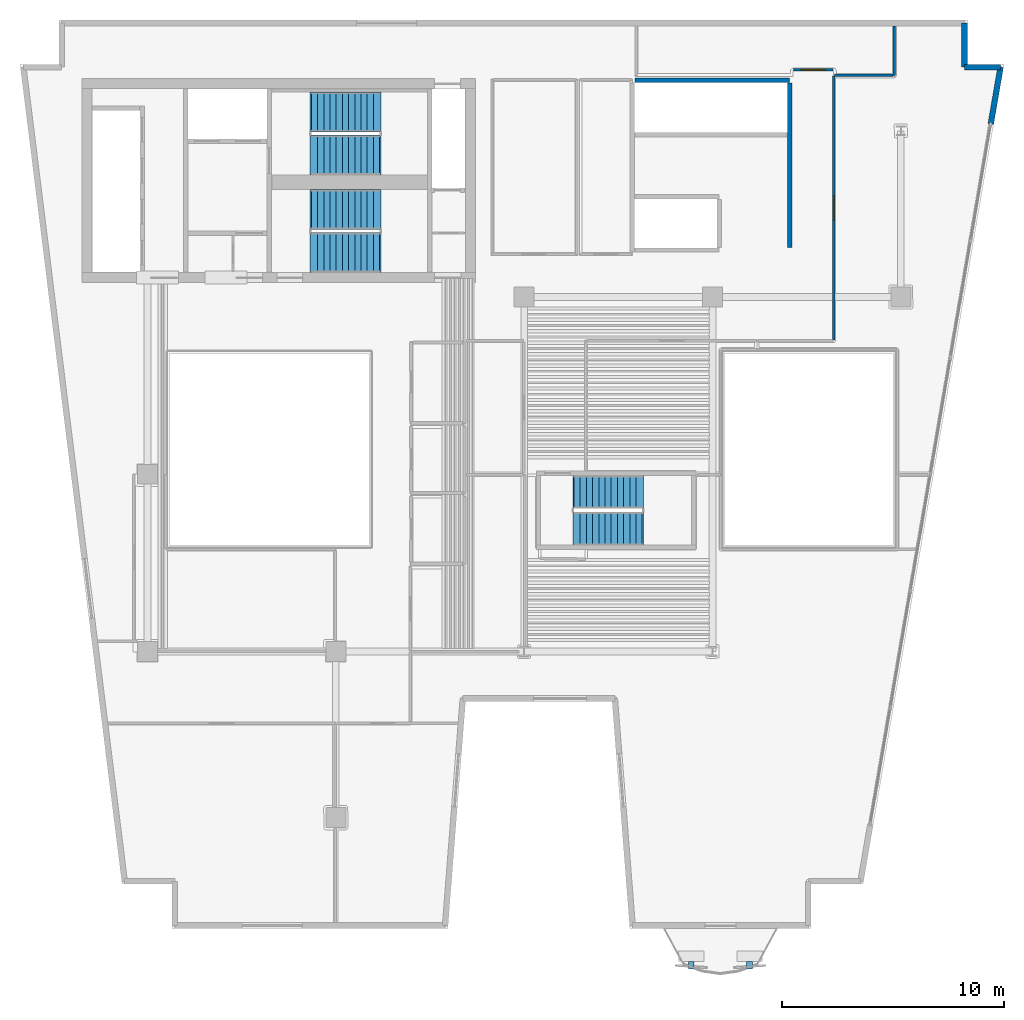
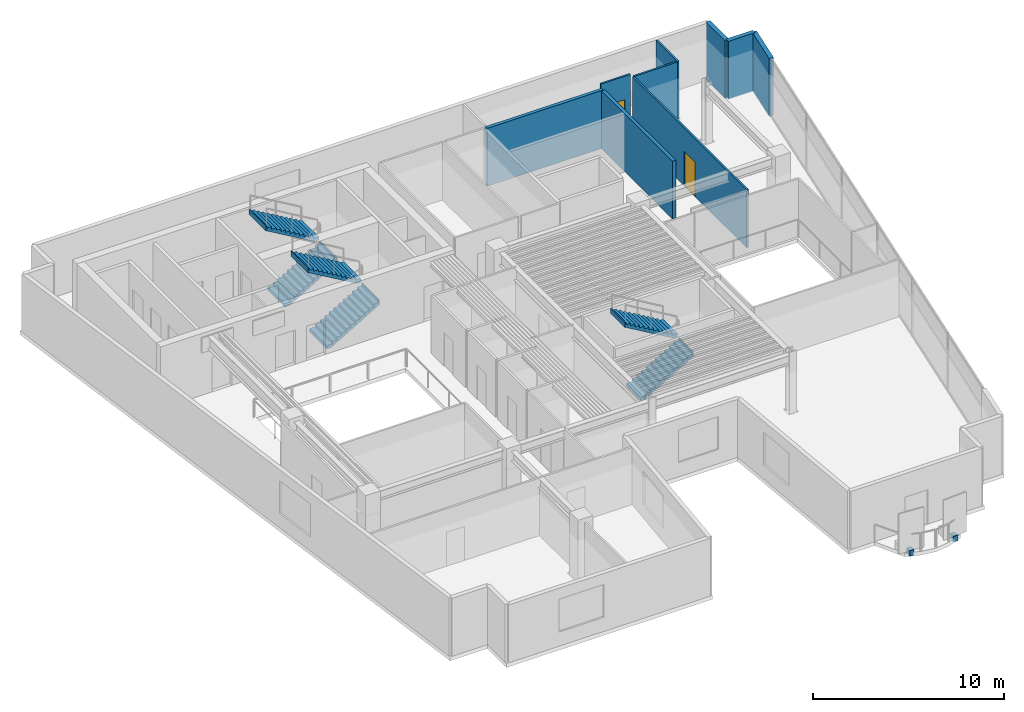
# One storey, part 6 of 10: 9 walls, 6 stair flights, 2 discrete accessories, 2 doors, 2 openings, 3 elements without a shape of their own.
"""IFC4 building model written with IfcOpenShell, lengths in metres."""

from ifc_helpers import new_model, si_unit, direction, frame, frame_2d, origin, origin_2d, place, context, subcontext, project, spatial, polyline, rectangle, outline, extrude, material, layer, layer_set, type_object, element, fill, aggregate, save


model = new_model("IFC4")

# Units and contexts
model_context = context("Model", 3, precision=1e-05, world=origin(), true_north=direction((0.0, 1.0)))
body_context = subcontext(model_context, "Body", "Model", "MODEL_VIEW")
ifc_project = project(units=[si_unit("LENGTHUNIT", "METRE"), si_unit("AREAUNIT", "SQUARE_METRE"), si_unit("VOLUMEUNIT", "CUBIC_METRE"), si_unit("PLANEANGLEUNIT", "RADIAN"), si_unit("MASSUNIT", "GRAM", prefix="KILO")], contexts=[model_context])

# Site, building, storey
site_placement = place(None, origin())
site = spatial("IfcSite", under=ifc_project, at=site_placement, CompositionType="ELEMENT")
building_placement = place(site_placement, origin())
building = spatial("IfcBuilding", under=site, at=building_placement, Name="Caeloran Harvest Quay", CompositionType="ELEMENT")
storey_placement = place(building_placement, frame((0.0, 0.0, 183.75)))
storey = spatial("IfcBuildingStorey", under=building, at=storey_placement, Name="L43", CompositionType="ELEMENT", Elevation=183.75)

# Walls
ifc_material_1 = material(Name="Precast concrete C50/60", Category="concrete")
ifc_layer_1 = layer(ifc_material_1, 0.260009765625, Name="Precast concrete C50/60")
ifc_layer_set_1 = layer_set([ifc_layer_1], Name="Precast concrete C50/60")
wall_type_1 = type_object("IfcWallType", Name="ENV-WALL-EW-260", PredefinedType="STANDARD", material=ifc_layer_set_1)
wall_1_placement = place(storey_placement, frame((45.3701171875, 43.3701171875, 0.0), z_axis=(0.0, 0.0, 1.0), x_axis=(0.0, -1.0, 0.0)))
element("IfcWall", 1, at=wall_1_placement, inside=storey, type_object=wall_type_1, Name="L43 Exterior Precast Concrete Facade Wall 7", PredefinedType="STANDARD", context=body_context, shape_type="SweptSolid", body=[
    extrude(rectangle(XDim=2.0, YDim=0.260009765625, at=frame_2d((1.0, 0.0))), origin(), (0.0, 0.0, 1.0), 3.699951171875),
])
wall_2_placement = place(storey_placement, frame((45.3701171875, 41.3701171875, 0.0), z_axis=(0.0, 0.0, 1.0), x_axis=(1.0, 0.0, 0.0)))
element("IfcWall", 2, at=wall_2_placement, inside=storey, type_object=wall_type_1, Name="L43 Exterior Precast Concrete Facade Wall 8", PredefinedType="STANDARD", context=body_context, shape_type="SweptSolid", body=[
    extrude(rectangle(XDim=1.6318359375, YDim=0.260009765625, at=frame_2d((0.81591796875, 0.0))), origin(), (0.0, 0.0, 1.0), 3.699951171875),
])
wall_3_placement = place(storey_placement, frame((47.001953125, 41.3701171875, 0.0), z_axis=(0.0, 0.0, 1.0), x_axis=(-0.169391215599, -0.98554889076, 0.0)))
element("IfcWall", 3, at=wall_3_placement, inside=storey, type_object=wall_type_1, Name="L43 Exterior Facade Corner Pier Wall 9A", PredefinedType="STANDARD", context=body_context, shape_type="SweptSolid", body=[
    extrude(rectangle(XDim=2.60009765625, YDim=0.260009765625, at=frame_2d((1.300048828125, 0.0))), origin(), (0.0, 0.0, 1.0), 3.699951171875),
])

# Wall, opening, door
ifc_material_2 = material(Name="Single-Stud Acoustic Gypsum Office Partition", Category="gypsum")
ifc_layer_2 = layer(ifc_material_2, 0.112060546875, Name="Single-Stud Acoustic Gypsum Office Partition")
ifc_layer_set_2 = layer_set([ifc_layer_2], Name="Single-Stud Acoustic Gypsum Office Partition")
wall_type_2 = type_object("IfcWallType", Name="INT-WALL-PW-112", PredefinedType="PARTITIONING", material=ifc_layer_set_2)
wall_4_placement = place(storey_placement, frame((39.449951171875, 41.260009765625, 0.0), z_axis=(0.0, 0.0, 1.0), x_axis=(-1.0, 0.0, 0.0)))
wall_4 = element("IfcWall", 4, at=wall_4_placement, inside=storey, type_object=wall_type_2, Name="L43 Harbourfront Econometrics Laboratory Partition Wall", PredefinedType="PARTITIONING", context=body_context, shape_type="SweptSolid", body=[
    extrude(rectangle(XDim=1.800048828125, YDim=0.112060546875, at=frame_2d((0.89990234375, 0.0))), origin(), (0.0, 0.0, 1.0), 3.699951171875),
])
opening_1_placement = place(wall_4_placement, frame((0.35009765625, 0.0, 0.0)))
opening_1 = element("IfcOpeningElement", 5, at=opening_1_placement, cuts=wall_4, Name="Opening ID-04", PredefinedType="OPENING", context=body_context, shape_type="SweptSolid", body=[
    extrude(rectangle(XDim=1.10009765625, YDim=2.199951171875, at=frame_2d((0.550048828125, 1.10009765625))), frame((0.0, 0.06591796875, 0.0), z_axis=(0.0, -1.0, 0.0), x_axis=(1.0, 0.0, 0.0)), (0.0, 0.0, 1.0), 0.132080078125),
])
ifc_material_3 = material(Name="Acoustic Walnut Veneer Executive Door", Category="wood")
door_type = type_object("IfcDoorType", Name="INTDOOR-ID-04", OperationType="NOTDEFINED", PredefinedType="DOOR", material=ifc_material_3)
door_1_placement = place(opening_1_placement, origin())
door_1 = element("IfcDoor", 6, at=door_1_placement, inside=storey, type_object=door_type, Name="L43 Harbourfront Econometrics Laboratory Access Door", OperationType="SINGLE_SWING_RIGHT", OverallHeight=2.199951171875, OverallWidth=1.10009765625, PredefinedType="DOOR", context=body_context, shape_type="SweptSolid", body=[
    extrude(rectangle(XDim=1.10009765625, YDim=2.199951171875, at=frame_2d((0.550048828125, 1.10009765625))), frame((0.0, 0.02490234375, 0.0), z_axis=(0.0, -1.0, 0.0), x_axis=(1.0, 0.0, 0.0)), (0.0, 0.0, 1.0), 0.050048828125),
])
fill(opening_1, door_1)

# Walls
wall_5_placement = place(storey_placement, frame((42.199951171875, 43.235107421875, 0.0), z_axis=(0.0, 0.0, 1.0), x_axis=(0.0, -1.0, 0.0)))
element("IfcWall", 7, at=wall_5_placement, inside=storey, type_object=wall_type_2, Name="L43 Harbourfront Econometrics Laboratory Partition Wall", PredefinedType="PARTITIONING", context=body_context, shape_type="SweptSolid", body=[
    extrude(rectangle(XDim=2.235107421875, YDim=0.112060546875, at=frame_2d((1.11767578125, 0.0))), origin(), (0.0, 0.0, 1.0), 3.699951171875),
])
wall_6_placement = place(storey_placement, frame((42.138916015625, 41.0, 0.0), z_axis=(0.0, 0.0, 1.0), x_axis=(-1.0, 0.0, 0.0)))
element("IfcWall", 8, at=wall_6_placement, inside=storey, type_object=wall_type_2, Name="L43 Harbourfront Econometrics Laboratory Partition Wall", PredefinedType="PARTITIONING", context=body_context, shape_type="SweptSolid", body=[
    extrude(rectangle(XDim=2.62890625, YDim=0.112060546875, at=frame_2d((1.314453125, 0.0))), origin(), (0.0, 0.0, 1.0), 3.699951171875),
])

# Wall, opening, door
wall_7_placement = place(storey_placement, frame((39.47998046875, 29.050048828125, 0.0), z_axis=(0.0, 0.0, 1.0), x_axis=(0.0, 1.0, 0.0)))
wall_7 = element("IfcWall", 9, at=wall_7_placement, inside=storey, type_object=wall_type_2, Name="Records Archive Laboratory Partition Wall", PredefinedType="PARTITIONING", context=body_context, shape_type="SweptSolid", body=[
    extrude(rectangle(XDim=11.919921875, YDim=0.112060546875, at=frame_2d((5.9599609375, 0.0))), origin(), (0.0, 0.0, 1.0), 3.699951171875),
])
opening_2_placement = place(wall_7_placement, frame((5.409912109375, 0.0, 0.0)))
opening_2 = element("IfcOpeningElement", 10, at=opening_2_placement, cuts=wall_7, Name="Opening ID-04", PredefinedType="OPENING", context=body_context, shape_type="SweptSolid", body=[
    extrude(rectangle(XDim=1.10009765625, YDim=2.199951171875, at=frame_2d((0.550048828125, 1.10009765625))), frame((0.0, 0.06591796875, 0.0), z_axis=(0.0, -1.0, 0.0), x_axis=(1.0, 0.0, 0.0)), (0.0, 0.0, 1.0), 0.132080078125),
])
door_2_placement = place(opening_2_placement, origin())
door_2 = element("IfcDoor", 11, at=door_2_placement, inside=storey, type_object=door_type, Name="Records Archive Laboratory Access Door", OperationType="SINGLE_SWING_RIGHT", OverallHeight=2.199951171875, OverallWidth=1.10009765625, PredefinedType="DOOR", context=body_context, shape_type="SweptSolid", body=[
    extrude(rectangle(XDim=1.10009765625, YDim=2.199951171875, at=frame_2d((0.550048828125, 1.10009765625))), frame((0.0, 0.02490234375, 0.0), z_axis=(0.0, -1.0, 0.0), x_axis=(1.0, 0.0, 0.0)), (0.0, 0.0, 1.0), 0.050048828125),
])
fill(opening_2, door_2)

# Walls
ifc_material_4 = material(Name="Concrete C50/60", Category="concrete")
ifc_layer_3 = layer(ifc_material_4, 0.199951171875, Name="Concrete C50/60")
ifc_layer_set_3 = layer_set([ifc_layer_3], Name="Concrete C50/60")
wall_type_3 = type_object("IfcWallType", Name="INT-WALL-SW-200", PredefinedType="PARTITIONING", material=ifc_layer_set_3)
wall_8_placement = place(storey_placement, frame((30.5, 40.780029296875, 0.0), z_axis=(0.0, 0.0, 1.0), x_axis=(1.0, 0.0, 0.0)))
element("IfcWall", 12, at=wall_8_placement, inside=storey, type_object=wall_type_3, Name="L43 Bank 2 Lift Shaft North Wall", PredefinedType="PARTITIONING", context=body_context, shape_type="SweptSolid", body=[
    extrude(rectangle(XDim=6.97998046875, YDim=0.199951171875, at=frame_2d((3.489990234375, 0.0))), origin(), (0.0, 0.0, 1.0), 3.699951171875),
])
wall_9_placement = place(storey_placement, frame((37.47998046875, 33.239990234375, 0.0), z_axis=(0.0, 0.0, 1.0), x_axis=(0.0, 1.0, 0.0)))
element("IfcWall", 13, at=wall_9_placement, inside=storey, type_object=wall_type_3, Name="L43 Bank 2 Lift Shaft East Wall", PredefinedType="PARTITIONING", context=body_context, shape_type="SweptSolid", body=[
    extrude(rectangle(XDim=7.419921875, YDim=0.199951171875, at=frame_2d((3.7099609375, 0.0))), origin(), (0.0, 0.0, 1.0), 3.699951171875),
])

# Stair, stair flights
stair_type_1 = type_object("IfcStairType", Name="STAIR-STC-180", PredefinedType="HALF_TURN_STAIR", material=ifc_material_4)
stair_1_placement = place(storey_placement, origin())
stair_1 = element("IfcStair", 14, at=stair_1_placement, inside=storey, type_object=stair_type_1, Name="L43 Core Pressurized Exit Stair ST-C1", PredefinedType="HALF_TURN_STAIR")
stair_flight_type_1 = type_object("IfcStairFlightType", Name="FLIGHT-STC-180", PredefinedType="STRAIGHT", material=ifc_material_4)
stair_flight_1_placement = place(storey_placement, frame((15.89990234375, 37.39990234375, 0.0), z_axis=(0.0, 0.0, 1.0), x_axis=(1.0, 0.0, 0.0)))
stair_flight_1 = element("IfcStairFlight", 15, at=stair_flight_1_placement, type_object=stair_flight_type_1, Name="ST-C1 flight 1", NumberOfRisers=12, NumberOfTreads=11, PredefinedType="STRAIGHT", RiserHeight=0.164583333, TreadLength=0.28, context=body_context, shape_type="SweptSolid", body=[
    extrude(outline(polyline([(-0.054931640625, -0.044921875), (-0.054931640625, -0.031982421875), (-0.054931640625, -0.018798828125), (-0.054931640625, -0.005615234375), (-0.054931640625, 0.00732421875), (-0.054931640625, 0.0205078125), (-0.054931640625, 0.03369140625), (-0.054931640625, 0.046630859375), (-0.054931640625, 0.059814453125), (-0.054931640625, 0.072998046875), (-0.054931640625, 0.0859375), (-0.054931640625, 0.09912109375), (-0.054931640625, 0.1123046875), (-0.054931640625, 0.125244140625), (-0.054931640625, 0.138427734375), (-0.054931640625, 0.1513671875), (-0.054931640625, 0.16455078125), (0.280029296875, 0.16455078125), (0.280029296875, 0.3291015625), (0.56005859375, 0.3291015625), (0.56005859375, 0.49365234375), (0.840087890625, 0.49365234375), (0.840087890625, 0.658447265625), (1.1201171875, 0.658447265625), (1.1201171875, 0.822998046875), (1.39990234375, 0.822998046875), (1.39990234375, 0.987548828125), (1.679931640625, 0.987548828125), (1.679931640625, 1.152099609375), (1.9599609375, 1.152099609375), (1.9599609375, 1.316650390625), (2.239990234375, 1.316650390625), (2.239990234375, 1.481201171875), (2.52001953125, 1.481201171875), (2.52001953125, 1.645751953125), (2.800048828125, 1.645751953125), (2.800048828125, 1.810302734375), (3.080078125, 1.810302734375), (3.080078125, 1.97509765625), (3.135009765625, 1.97509765625), (3.135009765625, 1.953857421875), (3.135009765625, 1.9326171875), (3.135009765625, 1.91162109375), (3.135009765625, 1.890380859375), (3.135009765625, 1.869140625), (3.135009765625, 1.84814453125), (3.135009765625, 1.826904296875), (3.135009765625, 1.8056640625), (3.135009765625, 1.78466796875), (3.135009765625, 1.763427734375), (3.135009765625, 1.7421875), (3.135009765625, 1.72119140625), (3.135009765625, 1.699951171875), (3.135009765625, 1.678955078125), (3.135009765625, 1.65771484375), (3.135009765625, 1.636474609375), (3.080078125, 1.636474609375), (0.21923828125, -0.044921875), (-0.054931640625, -0.044921875)])), frame((0.0, 0.89990234375, 0.0), z_axis=(0.0, -1.0, 0.0), x_axis=(1.0, 0.0, 0.0)), (0.0, 0.0, 1.0), 1.800048828125),
])
stair_flight_2_placement = place(storey_placement, frame((18.97998046875, 39.35009765625, 1.97509765625), z_axis=(0.0, 0.0, 1.0), x_axis=(-1.0, 0.0, 0.0)))
stair_flight_2 = element("IfcStairFlight", 16, at=stair_flight_2_placement, type_object=stair_flight_type_1, Name="ST-C1 flight 2", NumberOfRisers=12, NumberOfTreads=11, PredefinedType="STRAIGHT", RiserHeight=0.164583333, TreadLength=0.28, context=body_context, shape_type="SweptSolid", body=[
    extrude(outline(polyline([(-0.054931640625, -0.044921875), (-0.054931640625, -0.031982421875), (-0.054931640625, -0.018798828125), (-0.054931640625, -0.005615234375), (-0.054931640625, 0.00732421875), (-0.054931640625, 0.0205078125), (-0.054931640625, 0.03369140625), (-0.054931640625, 0.046630859375), (-0.054931640625, 0.059814453125), (-0.054931640625, 0.072998046875), (-0.054931640625, 0.0859375), (-0.054931640625, 0.09912109375), (-0.054931640625, 0.1123046875), (-0.054931640625, 0.125244140625), (-0.054931640625, 0.138427734375), (-0.054931640625, 0.1513671875), (-0.054931640625, 0.16455078125), (0.280029296875, 0.16455078125), (0.280029296875, 0.3291015625), (0.56005859375, 0.3291015625), (0.56005859375, 0.49365234375), (0.840087890625, 0.49365234375), (0.840087890625, 0.658447265625), (1.1201171875, 0.658447265625), (1.1201171875, 0.822998046875), (1.39990234375, 0.822998046875), (1.39990234375, 0.987548828125), (1.679931640625, 0.987548828125), (1.679931640625, 1.152099609375), (1.9599609375, 1.152099609375), (1.9599609375, 1.316650390625), (2.239990234375, 1.316650390625), (2.239990234375, 1.481201171875), (2.52001953125, 1.481201171875), (2.52001953125, 1.645751953125), (2.800048828125, 1.645751953125), (2.800048828125, 1.810302734375), (3.080078125, 1.810302734375), (3.080078125, 1.97509765625), (3.135009765625, 1.97509765625), (3.135009765625, 1.953857421875), (3.135009765625, 1.9326171875), (3.135009765625, 1.91162109375), (3.135009765625, 1.890380859375), (3.135009765625, 1.869140625), (3.135009765625, 1.84814453125), (3.135009765625, 1.826904296875), (3.135009765625, 1.8056640625), (3.135009765625, 1.78466796875), (3.135009765625, 1.763427734375), (3.135009765625, 1.7421875), (3.135009765625, 1.72119140625), (3.135009765625, 1.699951171875), (3.135009765625, 1.678955078125), (3.135009765625, 1.65771484375), (3.135009765625, 1.636474609375), (3.080078125, 1.636474609375), (0.21923828125, -0.044921875), (-0.054931640625, -0.044921875)])), frame((0.0, 0.89990234375, 0.0), z_axis=(0.0, -1.0, 0.0), x_axis=(1.0, 0.0, 0.0)), (0.0, 0.0, 1.0), 1.800048828125),
])
aggregate(stair_1, [stair_flight_1, stair_flight_2])

stair_2_placement = place(storey_placement, origin())
stair_2 = element("IfcStair", 17, at=stair_2_placement, inside=storey, type_object=stair_type_1, Name="L43 Core Pressurized Exit Stair ST-C2", PredefinedType="HALF_TURN_STAIR")
stair_flight_3_placement = place(storey_placement, frame((15.89990234375, 33.0, 0.0), z_axis=(0.0, 0.0, 1.0), x_axis=(1.0, 0.0, 0.0)))
stair_flight_3 = element("IfcStairFlight", 18, at=stair_flight_3_placement, type_object=stair_flight_type_1, Name="ST-C2 flight 1", NumberOfRisers=12, NumberOfTreads=11, PredefinedType="STRAIGHT", RiserHeight=0.164583333, TreadLength=0.28, context=body_context, shape_type="SweptSolid", body=[
    extrude(outline(polyline([(-0.054931640625, -0.044921875), (-0.054931640625, -0.031982421875), (-0.054931640625, -0.018798828125), (-0.054931640625, -0.005615234375), (-0.054931640625, 0.00732421875), (-0.054931640625, 0.0205078125), (-0.054931640625, 0.03369140625), (-0.054931640625, 0.046630859375), (-0.054931640625, 0.059814453125), (-0.054931640625, 0.072998046875), (-0.054931640625, 0.0859375), (-0.054931640625, 0.09912109375), (-0.054931640625, 0.1123046875), (-0.054931640625, 0.125244140625), (-0.054931640625, 0.138427734375), (-0.054931640625, 0.1513671875), (-0.054931640625, 0.16455078125), (0.280029296875, 0.16455078125), (0.280029296875, 0.3291015625), (0.56005859375, 0.3291015625), (0.56005859375, 0.49365234375), (0.840087890625, 0.49365234375), (0.840087890625, 0.658447265625), (1.1201171875, 0.658447265625), (1.1201171875, 0.822998046875), (1.39990234375, 0.822998046875), (1.39990234375, 0.987548828125), (1.679931640625, 0.987548828125), (1.679931640625, 1.152099609375), (1.9599609375, 1.152099609375), (1.9599609375, 1.316650390625), (2.239990234375, 1.316650390625), (2.239990234375, 1.481201171875), (2.52001953125, 1.481201171875), (2.52001953125, 1.645751953125), (2.800048828125, 1.645751953125), (2.800048828125, 1.810302734375), (3.080078125, 1.810302734375), (3.080078125, 1.97509765625), (3.135009765625, 1.97509765625), (3.135009765625, 1.953857421875), (3.135009765625, 1.9326171875), (3.135009765625, 1.91162109375), (3.135009765625, 1.890380859375), (3.135009765625, 1.869140625), (3.135009765625, 1.84814453125), (3.135009765625, 1.826904296875), (3.135009765625, 1.8056640625), (3.135009765625, 1.78466796875), (3.135009765625, 1.763427734375), (3.135009765625, 1.7421875), (3.135009765625, 1.72119140625), (3.135009765625, 1.699951171875), (3.135009765625, 1.678955078125), (3.135009765625, 1.65771484375), (3.135009765625, 1.636474609375), (3.080078125, 1.636474609375), (0.21923828125, -0.044921875), (-0.054931640625, -0.044921875)])), frame((0.0, 0.89990234375, 0.0), z_axis=(0.0, -1.0, 0.0), x_axis=(1.0, 0.0, 0.0)), (0.0, 0.0, 1.0), 1.800048828125),
])
stair_flight_4_placement = place(storey_placement, frame((18.97998046875, 34.949951171875, 1.97509765625), z_axis=(0.0, 0.0, 1.0), x_axis=(-1.0, 0.0, 0.0)))
stair_flight_4 = element("IfcStairFlight", 19, at=stair_flight_4_placement, type_object=stair_flight_type_1, Name="ST-C2 flight 2", NumberOfRisers=12, NumberOfTreads=11, PredefinedType="STRAIGHT", RiserHeight=0.164583333, TreadLength=0.28, context=body_context, shape_type="SweptSolid", body=[
    extrude(outline(polyline([(-0.054931640625, -0.044921875), (-0.054931640625, -0.031982421875), (-0.054931640625, -0.018798828125), (-0.054931640625, -0.005615234375), (-0.054931640625, 0.00732421875), (-0.054931640625, 0.0205078125), (-0.054931640625, 0.03369140625), (-0.054931640625, 0.046630859375), (-0.054931640625, 0.059814453125), (-0.054931640625, 0.072998046875), (-0.054931640625, 0.0859375), (-0.054931640625, 0.09912109375), (-0.054931640625, 0.1123046875), (-0.054931640625, 0.125244140625), (-0.054931640625, 0.138427734375), (-0.054931640625, 0.1513671875), (-0.054931640625, 0.16455078125), (0.280029296875, 0.16455078125), (0.280029296875, 0.3291015625), (0.56005859375, 0.3291015625), (0.56005859375, 0.49365234375), (0.840087890625, 0.49365234375), (0.840087890625, 0.658447265625), (1.1201171875, 0.658447265625), (1.1201171875, 0.822998046875), (1.39990234375, 0.822998046875), (1.39990234375, 0.987548828125), (1.679931640625, 0.987548828125), (1.679931640625, 1.152099609375), (1.9599609375, 1.152099609375), (1.9599609375, 1.316650390625), (2.239990234375, 1.316650390625), (2.239990234375, 1.481201171875), (2.52001953125, 1.481201171875), (2.52001953125, 1.645751953125), (2.800048828125, 1.645751953125), (2.800048828125, 1.810302734375), (3.080078125, 1.810302734375), (3.080078125, 1.97509765625), (3.135009765625, 1.97509765625), (3.135009765625, 1.953857421875), (3.135009765625, 1.9326171875), (3.135009765625, 1.91162109375), (3.135009765625, 1.890380859375), (3.135009765625, 1.869140625), (3.135009765625, 1.84814453125), (3.135009765625, 1.826904296875), (3.135009765625, 1.8056640625), (3.135009765625, 1.78466796875), (3.135009765625, 1.763427734375), (3.135009765625, 1.7421875), (3.135009765625, 1.72119140625), (3.135009765625, 1.699951171875), (3.135009765625, 1.678955078125), (3.135009765625, 1.65771484375), (3.135009765625, 1.636474609375), (3.080078125, 1.636474609375), (0.21923828125, -0.044921875), (-0.054931640625, -0.044921875)])), frame((0.0, 0.89990234375, 0.0), z_axis=(0.0, -1.0, 0.0), x_axis=(1.0, 0.0, 0.0)), (0.0, 0.0, 1.0), 1.800048828125),
])
aggregate(stair_2, [stair_flight_3, stair_flight_4])

stair_type_2 = type_object("IfcStairType", Name="STAIR-STW-150", PredefinedType="HALF_TURN_STAIR", material=ifc_material_4)
stair_3_placement = place(storey_placement, origin())
stair_3 = element("IfcStair", 20, at=stair_3_placement, inside=storey, type_object=stair_type_2, Name="L43 East Wing Protected Exit Stair ST-W1", PredefinedType="HALF_TURN_STAIR")
stair_flight_type_2 = type_object("IfcStairFlightType", Name="FLIGHT-STW-150", PredefinedType="STRAIGHT", material=ifc_material_4)
stair_flight_5_placement = place(storey_placement, frame((27.75, 20.550048828125, 0.0), z_axis=(0.0, 0.0, 1.0), x_axis=(1.0, 0.0, 0.0)))
stair_flight_5 = element("IfcStairFlight", 21, at=stair_flight_5_placement, type_object=stair_flight_type_2, Name="ST-W1 flight 1", NumberOfRisers=12, NumberOfTreads=11, PredefinedType="STRAIGHT", RiserHeight=0.164583333, TreadLength=0.28, context=body_context, shape_type="SweptSolid", body=[
    extrude(outline(polyline([(-0.054931640625, -0.044921875), (-0.054931640625, -0.031982421875), (-0.054931640625, -0.018798828125), (-0.054931640625, -0.005615234375), (-0.054931640625, 0.00732421875), (-0.054931640625, 0.0205078125), (-0.054931640625, 0.03369140625), (-0.054931640625, 0.046630859375), (-0.054931640625, 0.059814453125), (-0.054931640625, 0.072998046875), (-0.054931640625, 0.0859375), (-0.054931640625, 0.09912109375), (-0.054931640625, 0.1123046875), (-0.054931640625, 0.125244140625), (-0.054931640625, 0.138427734375), (-0.054931640625, 0.1513671875), (-0.054931640625, 0.16455078125), (0.280029296875, 0.16455078125), (0.280029296875, 0.3291015625), (0.56005859375, 0.3291015625), (0.56005859375, 0.49365234375), (0.840087890625, 0.49365234375), (0.840087890625, 0.658447265625), (1.1201171875, 0.658447265625), (1.1201171875, 0.822998046875), (1.39990234375, 0.822998046875), (1.39990234375, 0.987548828125), (1.679931640625, 0.987548828125), (1.679931640625, 1.152099609375), (1.9599609375, 1.152099609375), (1.9599609375, 1.316650390625), (2.239990234375, 1.316650390625), (2.239990234375, 1.481201171875), (2.52001953125, 1.481201171875), (2.52001953125, 1.645751953125), (2.800048828125, 1.645751953125), (2.800048828125, 1.810302734375), (3.080078125, 1.810302734375), (3.080078125, 1.97509765625), (3.135009765625, 1.97509765625), (3.135009765625, 1.953857421875), (3.135009765625, 1.9326171875), (3.135009765625, 1.91162109375), (3.135009765625, 1.890380859375), (3.135009765625, 1.869140625), (3.135009765625, 1.84814453125), (3.135009765625, 1.826904296875), (3.135009765625, 1.8056640625), (3.135009765625, 1.78466796875), (3.135009765625, 1.763427734375), (3.135009765625, 1.7421875), (3.135009765625, 1.72119140625), (3.135009765625, 1.699951171875), (3.135009765625, 1.678955078125), (3.135009765625, 1.65771484375), (3.135009765625, 1.636474609375), (3.080078125, 1.636474609375), (0.21923828125, -0.044921875), (-0.054931640625, -0.044921875)])), frame((0.0, 0.75, 0.0), z_axis=(0.0, -1.0, 0.0), x_axis=(1.0, 0.0, 0.0)), (0.0, 0.0, 1.0), 1.5),
])
stair_flight_6_placement = place(storey_placement, frame((30.830078125, 22.199951171875, 1.97509765625), z_axis=(0.0, 0.0, 1.0), x_axis=(-1.0, 0.0, 0.0)))
stair_flight_6 = element("IfcStairFlight", 22, at=stair_flight_6_placement, type_object=stair_flight_type_2, Name="ST-W1 flight 2", NumberOfRisers=12, NumberOfTreads=11, PredefinedType="STRAIGHT", RiserHeight=0.164583333, TreadLength=0.28, context=body_context, shape_type="SweptSolid", body=[
    extrude(outline(polyline([(-0.054931640625, -0.044921875), (-0.054931640625, -0.031982421875), (-0.054931640625, -0.018798828125), (-0.054931640625, -0.005615234375), (-0.054931640625, 0.00732421875), (-0.054931640625, 0.0205078125), (-0.054931640625, 0.03369140625), (-0.054931640625, 0.046630859375), (-0.054931640625, 0.059814453125), (-0.054931640625, 0.072998046875), (-0.054931640625, 0.0859375), (-0.054931640625, 0.09912109375), (-0.054931640625, 0.1123046875), (-0.054931640625, 0.125244140625), (-0.054931640625, 0.138427734375), (-0.054931640625, 0.1513671875), (-0.054931640625, 0.16455078125), (0.280029296875, 0.16455078125), (0.280029296875, 0.3291015625), (0.56005859375, 0.3291015625), (0.56005859375, 0.49365234375), (0.840087890625, 0.49365234375), (0.840087890625, 0.658447265625), (1.1201171875, 0.658447265625), (1.1201171875, 0.822998046875), (1.39990234375, 0.822998046875), (1.39990234375, 0.987548828125), (1.679931640625, 0.987548828125), (1.679931640625, 1.152099609375), (1.9599609375, 1.152099609375), (1.9599609375, 1.316650390625), (2.239990234375, 1.316650390625), (2.239990234375, 1.481201171875), (2.52001953125, 1.481201171875), (2.52001953125, 1.645751953125), (2.800048828125, 1.645751953125), (2.800048828125, 1.810302734375), (3.080078125, 1.810302734375), (3.080078125, 1.97509765625), (3.135009765625, 1.97509765625), (3.135009765625, 1.953857421875), (3.135009765625, 1.9326171875), (3.135009765625, 1.91162109375), (3.135009765625, 1.890380859375), (3.135009765625, 1.869140625), (3.135009765625, 1.84814453125), (3.135009765625, 1.826904296875), (3.135009765625, 1.8056640625), (3.135009765625, 1.78466796875), (3.135009765625, 1.763427734375), (3.135009765625, 1.7421875), (3.135009765625, 1.72119140625), (3.135009765625, 1.699951171875), (3.135009765625, 1.678955078125), (3.135009765625, 1.65771484375), (3.135009765625, 1.636474609375), (3.080078125, 1.636474609375), (0.21923828125, -0.044921875), (-0.054931640625, -0.044921875)])), frame((0.0, 0.75, 0.0), z_axis=(0.0, -1.0, 0.0), x_axis=(1.0, 0.0, 0.0)), (0.0, 0.0, 1.0), 1.5),
])
aggregate(stair_3, [stair_flight_5, stair_flight_6])

# Discrete accessories
ifc_material_5 = material(Name="Stainless Steel Grade 316L", Category="steel")
discrete_accessory_type = type_object("IfcDiscreteAccessoryType", Name="BRACKET-SCREEN-SS", PredefinedType="BRACKET", material=ifc_material_5)
for number, where, z_axis, x_axis, name in (
    (23, (35.676513671875, 0.84521484375, -0.22021484375), (0.0, 0.0, 1.0), (1.0, 0.0, 0.0), "L43 Balcony Screen Support Bracket 1"),
    (24, (33.03662109375, 0.84521484375, -0.22021484375), (0.0, 0.0, 1.0), (1.0, 0.0, 0.0), "L43 Balcony Screen Support Bracket 2"),
):
    element("IfcDiscreteAccessory", number, at=place(storey_placement, frame(where, z_axis=z_axis, x_axis=x_axis)), inside=storey, type_object=discrete_accessory_type, Name=name, PredefinedType="BRACKET", context=body_context, shape_type="SweptSolid", body=[
        extrude(rectangle(XDim=0.260009765625, YDim=0.340087890625, at=origin_2d()), origin(), (0.0, 0.0, 1.0), 0.360107421875),
    ])

save(model, "model.ifc")
